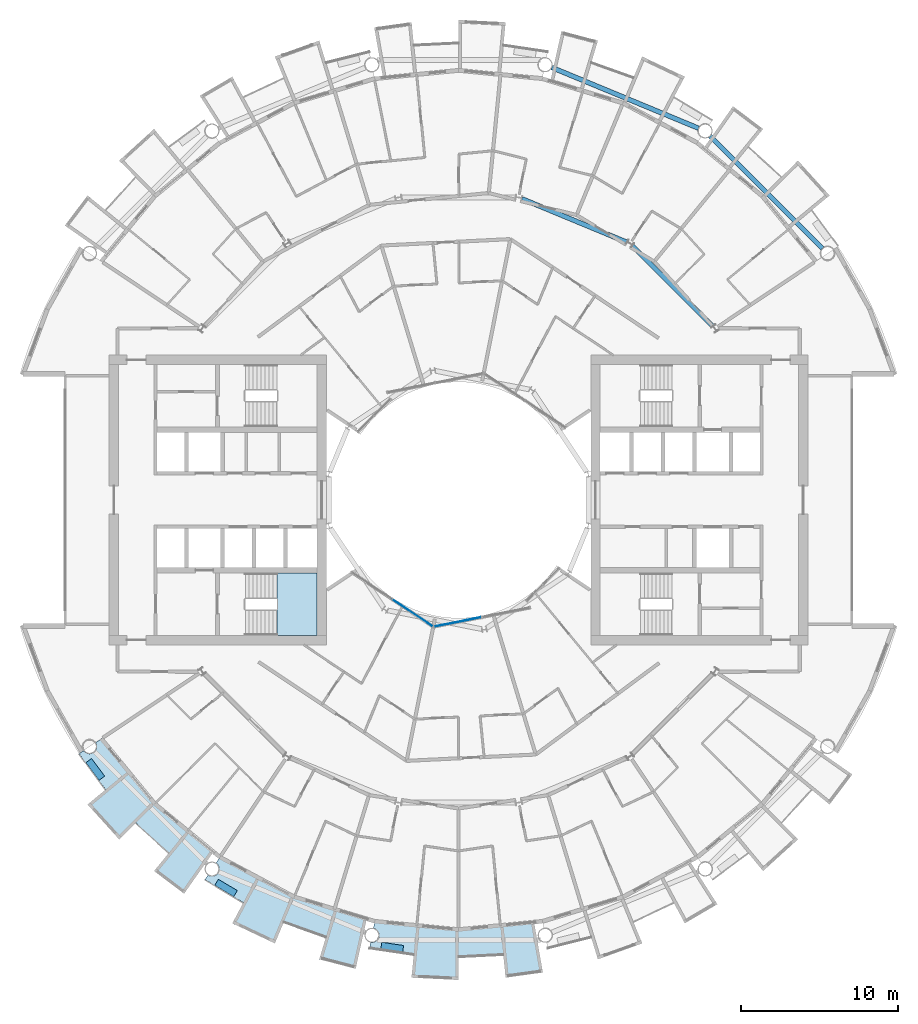
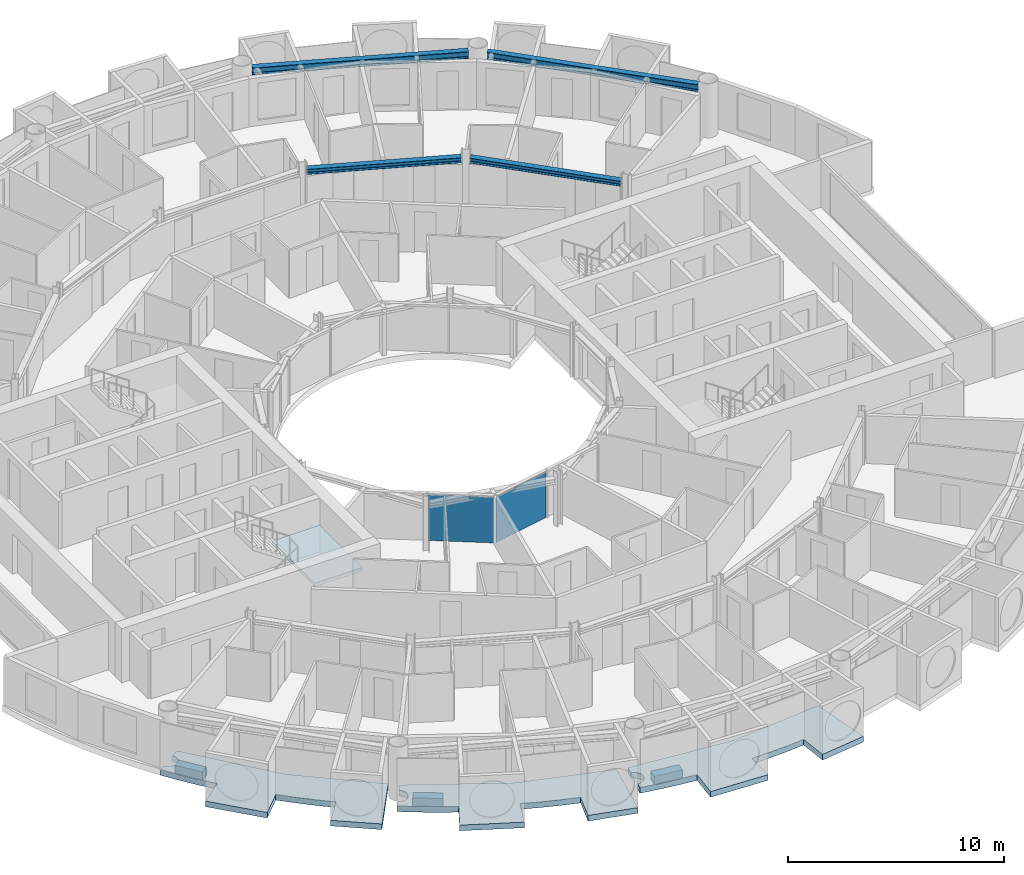
# One storey, part 10 of 27: 7 slabs, 4 beams, 2 plates, 3 elements without a shape of their own.
"""IFC4 building model written with IfcOpenShell, lengths in metres."""

from ifc_helpers import new_model, si_unit, direction, frame, origin, origin_2d, place, context, subcontext, project, spatial, polyline, rectangle, i_section, outline, extrude, material, layer, layer_set, material_profile, profile_set, type_object, element, aggregate, save


model = new_model("IFC4")

# Units and contexts
model_context = context("Model", 3, precision=1e-05, world=origin(), true_north=direction((0.0, 1.0)))
body_context = subcontext(model_context, "Body", "Model", "MODEL_VIEW")
ifc_project = project(units=[si_unit("LENGTHUNIT", "METRE"), si_unit("AREAUNIT", "SQUARE_METRE"), si_unit("VOLUMEUNIT", "CUBIC_METRE"), si_unit("PLANEANGLEUNIT", "RADIAN"), si_unit("MASSUNIT", "GRAM", prefix="KILO")], contexts=[model_context])

# Site, building, storey
site_placement = place(None, origin())
site = spatial("IfcSite", under=ifc_project, at=site_placement, CompositionType="ELEMENT")
building_placement = place(site_placement, origin())
building = spatial("IfcBuilding", under=site, at=building_placement, Name="Maasbend Ring Residences", CompositionType="ELEMENT")
storey_placement = place(building_placement, frame((0.0, 0.0, 126.89990234375)))
storey = spatial("IfcBuildingStorey", under=building, at=storey_placement, Name="L36", CompositionType="ELEMENT", Elevation=126.89990234375)

# Beams
ifc_material_1 = material(Name="Steel S355J2", Category="steel")
ifc_material_profile_1 = material_profile(ifc_material_1, i_section(OverallWidth=0.300048828125, OverallDepth=0.2900390625, WebThickness=0.008544921875, FlangeThickness=0.013916015625, FilletRadius=0.027099609375, at=origin_2d()), Name="HEA 300")
ifc_profile_set_1 = profile_set([ifc_material_profile_1], Name="Steel S355J2")
beam_type_1 = type_object("IfcBeamType", Name="Corridor ring beam HEA 300", PredefinedType="BEAM", material=ifc_profile_set_1)
for number, where, z_axis, x_axis, name in (
    (1, (16.14111328125, 11.044921875, 2.55517578125), (-0.707106781187, 0.707106781187, 0.0), (-0.707106781187, -0.707106781187, 0.0), "Corridor ring beam"),
    (2, (10.685791015625, 16.381103515625, 2.55517578125), (-0.923877693919, 0.382687871089, 0.0), (-0.382687871089, -0.923877693919, 0.0), "Corridor ring beam"),
):
    element("IfcBeam", number, at=place(storey_placement, frame(where, z_axis=z_axis, x_axis=x_axis)), inside=storey, type_object=beam_type_1, Name=name, PredefinedType="BEAM", context=body_context, shape_type="SweptSolid", body=[
        extrude(i_section(OverallWidth=0.300048828125, OverallDepth=0.2900390625, WebThickness=0.008544921875, FlangeThickness=0.013916015625, FilletRadius=0.027099609375, at=origin_2d()), origin(), (0.0, 0.0, 1.0), 7.20703125),
    ])
ifc_material_2 = material(Name="Steel S355J2", Category="steel")
ifc_material_profile_2 = material_profile(ifc_material_2, i_section(OverallWidth=0.300048828125, OverallDepth=0.39990234375, WebThickness=0.013427734375, FlangeThickness=0.02392578125, FilletRadius=0.027099609375, at=origin_2d()), Name="HEB 400")
ifc_profile_set_2 = profile_set([ifc_material_profile_2], Name="Steel S355J2")
beam_type_2 = type_object("IfcBeamType", Name="Spandrel ring beam HEB 400", PredefinedType="SPANDREL", material=ifc_profile_set_2)
for number, where, z_axis, x_axis, name in (
    (3, (23.124267578125, 15.990234375, 2.5), (-0.707106781187, 0.707106781187, 0.0), (-0.707106781187, -0.707106781187, 0.0), "Spandrel ring beam"),
    (4, (15.244873046875, 23.622314453125, 2.5), (-0.92388529709, 0.382669515144, 0.0), (-0.382669515144, -0.92388529709, 0.0), "Spandrel ring beam"),
):
    element("IfcBeam", number, at=place(storey_placement, frame(where, z_axis=z_axis, x_axis=x_axis)), inside=storey, type_object=beam_type_2, Name=name, PredefinedType="SPANDREL", context=body_context, shape_type="SweptSolid", body=[
        extrude(i_section(OverallWidth=0.300048828125, OverallDepth=0.39990234375, WebThickness=0.013427734375, FlangeThickness=0.02392578125, FilletRadius=0.027099609375, at=origin_2d()), origin(), (0.0, 0.0, 1.0), 10.089111328125),
    ])

# Stair, slab
ifc_material_3 = material(Name="Concrete C40/50", Category="concrete")
stair_type = type_object("IfcStairType", Name="CORE STAIR 18 RISERS", PredefinedType="HALF_TURN_STAIR", material=ifc_material_3)
stair_placement = place(storey_placement, origin())
stair = element("IfcStair", 5, at=stair_placement, inside=storey, type_object=stair_type, Name="L36 Exit stair ST-W1", PredefinedType="HALF_TURN_STAIR")
ifc_material_4 = material(Name="Concrete C40/50", Category="concrete")
ifc_layer_1 = layer(ifc_material_4, 0.199951171875)
ifc_layer_set_1 = layer_set([ifc_layer_1], Name="Concrete C40/50")
slab_type_1 = type_object("IfcSlabType", Name="CORE STAIR LANDING 200", PredefinedType="LANDING", material=ifc_layer_set_1)
slab_1_placement = place(storey_placement, frame((0.0, 0.0, 1.3251953125)))
slab_1 = element("IfcSlab", 6, at=slab_1_placement, type_object=slab_type_1, Name="ST-W1 landing 1", PredefinedType="LANDING", context=body_context, shape_type="SweptSolid", body=[
    extrude(outline(polyline([(-11.550048828125, -8.60009765625), (-9.0, -8.60009765625), (-9.0, -4.64990234375), (-11.550048828125, -4.64990234375), (-11.550048828125, -8.60009765625)])), origin(), (0.0, 0.0, 1.0), 0.199951171875),
])
aggregate(stair, [slab_1])

# Curtain wall, plate
ifc_material_5 = material(Name="Aluminium and clear glass", Category="aluminium")
ifc_layer_2 = layer(ifc_material_5, 0.179931640625)
ifc_layer_set_2 = layer_set([ifc_layer_2], Name="CW-W")
curtain_wall_type = type_object("IfcCurtainWallType", Name="CW-W", PredefinedType="NOTDEFINED", material=ifc_layer_set_2)
curtain_wall_1_placement = place(storey_placement, origin())
curtain_wall_1 = element("IfcCurtainWall", 7, at=curtain_wall_1_placement, inside=storey, type_object=curtain_wall_type, Name="Well curtain wall S1", PredefinedType="NOTDEFINED")
ifc_material_6 = material(Name="Glass clear laminated", Category="glass")
ifc_layer_3 = layer(ifc_material_6, 0.031982421875)
ifc_layer_set_3 = layer_set([ifc_layer_3], Name="CWP-W")
plate_type = type_object("IfcPlateType", Name="CWP-W", PredefinedType="CURTAIN_PANEL", material=ifc_layer_set_3)
plate_1_placement = place(storey_placement, frame((-2.922119140625, -7.17578125, 0.0), z_axis=(0.0, 0.0, 1.0), x_axis=(0.831469612303, -0.55557023302, 0.0)))
plate_1 = element("IfcPlate", 8, at=plate_1_placement, type_object=plate_type, Name="Glass panel well face", PredefinedType="CURTAIN_PANEL", context=body_context, shape_type="SweptSolid", body=[
    extrude(rectangle(XDim=3.053955078125, YDim=0.031982421875, at=origin_2d()), origin(), (0.0, 0.0, 1.0), 2.580078125),
])
aggregate(curtain_wall_1, [plate_1])

curtain_wall_2_placement = place(storey_placement, origin())
curtain_wall_2 = element("IfcCurtainWall", 9, at=curtain_wall_2_placement, inside=storey, type_object=curtain_wall_type, Name="Well curtain wall S2", PredefinedType="NOTDEFINED")
plate_2_placement = place(storey_placement, frame((-0.04638671875, -7.747802734375, 0.0), z_axis=(0.0, 0.0, 1.0), x_axis=(0.980785280403, 0.195090322016, 0.0)))
plate_2 = element("IfcPlate", 10, at=plate_2_placement, type_object=plate_type, Name="Glass panel well face", PredefinedType="CURTAIN_PANEL", context=body_context, shape_type="SweptSolid", body=[
    extrude(rectangle(XDim=3.053955078125, YDim=0.031982421875, at=origin_2d()), origin(), (0.0, 0.0, 1.0), 2.580078125),
])
aggregate(curtain_wall_2, [plate_2])

# Slabs
ifc_material_7 = material(Name="Planting with climbing greenery")
ifc_layer_4 = layer(ifc_material_7, 0.449951171875)
ifc_layer_set_4 = layer_set([ifc_layer_4], Name="PLANTER-LG")
slab_type_2 = type_object("IfcSlabType", Name="PLANTER-LG", PredefinedType="USERDEFINED", material=ifc_layer_set_4)
slab_2_placement = place(storey_placement, frame((0.0, 0.0, -0.02978515625)))
element("IfcSlab", 11, at=slab_2_placement, inside=storey, type_object=slab_type_2, Name="Planter with climbing greenery 1", ObjectType="PLANTER", PredefinedType="USERDEFINED", context=body_context, shape_type="SweptSolid", body=[
    extrude(outline(polyline([(-23.681884765625, -16.69189453125), (-22.847900390625, -17.81689453125), (-22.487060546875, -17.549072265625), (-23.321044921875, -16.424072265625), (-23.681884765625, -16.69189453125)])), origin(), (0.0, 0.0, 1.0), 0.449951171875),
])
slab_3_placement = place(storey_placement, frame((0.0, 0.0, -0.02978515625)))
element("IfcSlab", 12, at=slab_3_placement, inside=storey, type_object=slab_type_2, Name="Planter with climbing greenery 2", ObjectType="PLANTER", PredefinedType="USERDEFINED", context=body_context, shape_type="SweptSolid", body=[
    extrude(outline(polyline([(-15.490966796875, -24.48388671875), (-14.291015625, -25.2041015625), (-14.05908203125, -24.818115234375), (-15.260009765625, -24.097900390625), (-15.490966796875, -24.48388671875)])), origin(), (0.0, 0.0, 1.0), 0.449951171875),
])
slab_4_placement = place(storey_placement, frame((0.0, 0.0, -0.02978515625)))
element("IfcSlab", 13, at=slab_4_placement, inside=storey, type_object=slab_type_2, Name="Planter with climbing greenery 3", ObjectType="PLANTER", PredefinedType="USERDEFINED", context=body_context, shape_type="SweptSolid", body=[
    extrude(outline(polyline([(-4.94189453125, -28.549072265625), (-3.55810546875, -28.75390625), (-3.491943359375, -28.30908203125), (-4.8759765625, -28.10400390625), (-4.94189453125, -28.549072265625)])), origin(), (0.0, 0.0, 1.0), 0.449951171875),
])
ifc_material_8 = material(Name="Concrete C40/50", Category="concrete")
ifc_layer_5 = layer(ifc_material_8, 0.199951171875)
ifc_layer_set_5 = layer_set([ifc_layer_5], Name="Concrete C40/50")
slab_type_3 = type_object("IfcSlabType", Name="SL-LOGGIA", PredefinedType="FLOOR", material=ifc_layer_set_5)
slab_5_placement = place(storey_placement, frame((0.0, 0.0, -0.349853515625)))
element("IfcSlab", 14, at=slab_5_placement, inside=storey, type_object=slab_type_3, Name="Loggia floor 1", PredefinedType="FLOOR", context=body_context, shape_type="SweptSolid", body=[
    extrude(outline(polyline([(-15.89208984375, -23.844970703125), (-15.883056640625, -23.85009765625), (-15.873046875, -23.85595703125), (-15.862060546875, -23.861083984375), (-15.85205078125, -23.864990234375), (-15.842041015625, -23.8701171875), (-15.83203125, -23.8740234375), (-15.821044921875, -23.8779296875), (-15.81005859375, -23.881103515625), (-15.800048828125, -23.885009765625), (-15.7890625, -23.887939453125), (-15.778076171875, -23.89111328125), (-15.76708984375, -23.89306640625), (-15.756103515625, -23.89599609375), (-15.7451171875, -23.89794921875), (-15.73388671875, -23.89892578125), (-15.722900390625, -23.90087890625), (-15.7119140625, -23.902099609375), (-15.700927734375, -23.903076171875), (-15.68994140625, -23.904052734375), (-15.677978515625, -23.904052734375), (-15.6669921875, -23.904052734375), (-15.656005859375, -23.904052734375), (-15.64501953125, -23.904052734375), (-15.633056640625, -23.903076171875), (-15.6220703125, -23.902099609375), (-15.611083984375, -23.90087890625), (-15.60009765625, -23.89892578125), (-15.589111328125, -23.89794921875), (-15.577880859375, -23.89599609375), (-15.56689453125, -23.89306640625), (-15.555908203125, -23.89111328125), (-15.544921875, -23.887939453125), (-15.533935546875, -23.885009765625), (-15.52392578125, -23.881103515625), (-15.512939453125, -23.8779296875), (-15.5029296875, -23.8740234375), (-15.491943359375, -23.8701171875), (-15.48193359375, -23.864990234375), (-15.471923828125, -23.861083984375), (-15.4619140625, -23.85595703125), (-15.451904296875, -23.85009765625), (-15.44189453125, -23.844970703125), (-15.431884765625, -23.839111328125), (-15.423095703125, -23.8330078125), (-15.4130859375, -23.826904296875), (-15.404052734375, -23.821044921875), (-15.39501953125, -23.81396484375), (-15.385986328125, -23.80810546875), (-15.376953125, -23.801025390625), (-15.368896484375, -23.79296875), (-15.360107421875, -23.785888671875), (-15.35205078125, -23.778076171875), (-15.343994140625, -23.77099609375), (-15.3359375, -23.762939453125), (-15.327880859375, -23.75390625), (-15.321044921875, -23.74609375), (-15.31396484375, -23.737060546875), (-15.306884765625, -23.72900390625), (-15.300048828125, -23.719970703125), (-15.29296875, -23.7109375), (-15.287109375, -23.700927734375), (-15.281005859375, -23.69189453125), (-15.27490234375, -23.681884765625), (-15.26904296875, -23.673095703125), (-15.263916015625, -23.6630859375), (-15.259033203125, -23.653076171875), (-15.25390625, -23.64306640625), (-15.2490234375, -23.633056640625), (-15.2451171875, -23.6220703125), (-15.240966796875, -23.612060546875), (-15.237060546875, -23.60107421875), (-15.23291015625, -23.591064453125), (-15.22998046875, -23.580078125), (-15.22705078125, -23.569091796875), (-15.22412109375, -23.55810546875), (-15.220947265625, -23.548095703125), (-15.218994140625, -23.537109375), (-15.217041015625, -23.52587890625), (-15.215087890625, -23.513916015625), (-15.214111328125, -23.5029296875), (-15.2119140625, -23.491943359375), (-15.2109375, -23.48095703125), (-15.2109375, -23.469970703125), (-15.2099609375, -23.458984375), (-15.2099609375, -23.447021484375), (-15.2099609375, -23.43603515625), (-15.2109375, -23.425048828125), (-15.2109375, -23.4140625), (-15.2119140625, -23.403076171875), (-15.214111328125, -23.39111328125), (-15.215087890625, -23.3798828125), (-15.217041015625, -23.368896484375), (-15.218994140625, -23.35791015625), (-15.220947265625, -23.346923828125), (-15.22412109375, -23.3359375), (-15.22705078125, -23.325927734375), (-15.22998046875, -23.31494140625), (-15.23291015625, -23.303955078125), (-15.237060546875, -23.29296875), (-15.240966796875, -23.282958984375), (-15.2451171875, -23.27294921875), (-15.2490234375, -23.261962890625), (-15.25390625, -23.251953125), (-15.259033203125, -23.241943359375), (-15.263916015625, -23.23193359375), (-15.26904296875, -23.221923828125), (-15.27490234375, -23.2119140625), (-15.281005859375, -23.202880859375), (-15.287109375, -23.194091796875), (-15.29296875, -23.18408203125), (-15.300048828125, -23.175048828125), (-15.306884765625, -23.166015625), (-15.31396484375, -23.156982421875), (-15.321044921875, -23.14892578125), (-15.327880859375, -23.139892578125), (-15.3359375, -23.132080078125), (-15.343994140625, -23.1240234375), (-15.35205078125, -23.115966796875), (-15.360107421875, -23.10888671875), (-15.368896484375, -23.10107421875), (-15.376953125, -23.093994140625), (-15.385986328125, -23.0869140625), (-15.39501953125, -23.080078125), (-15.404052734375, -23.073974609375), (-15.4130859375, -23.06689453125), (-15.1669921875, -22.698974609375), (-15.1669921875, -22.698974609375), (-15.1669921875, -22.698974609375), (-12.806884765625, -23.9609375), (-10.447021484375, -25.221923828125), (-10.447021484375, -25.221923828125), (-10.447021484375, -25.221923828125), (-7.886962890625, -25.9990234375), (-5.843994140625, -26.617919921875), (-5.843994140625, -26.617919921875), (-5.843994140625, -26.617919921875), (-6.5400390625, -29.791015625), (-6.5400390625, -29.791015625), (-6.5400390625, -29.791015625), (-8.85400390625, -29.18701171875), (-8.85400390625, -29.18701171875), (-8.85400390625, -29.18701171875), (-8.41796875, -27.751953125), (-8.41796875, -27.751953125), (-8.41796875, -27.751953125), (-8.41796875, -27.751953125), (-8.41796875, -27.751953125), (-8.41796875, -27.751953125), (-8.41796875, -27.7509765625), (-8.41796875, -27.7509765625), (-8.41796875, -27.7509765625), (-8.41796875, -27.7509765625), (-8.41796875, -27.7509765625), (-8.4189453125, -27.7509765625), (-8.4189453125, -27.7509765625), (-8.4189453125, -27.7509765625), (-8.4189453125, -27.7509765625), (-8.4189453125, -27.7509765625), (-8.4189453125, -27.7509765625), (-9.322021484375, -27.4609375), (-9.322021484375, -27.4609375), (-10.215087890625, -27.14111328125), (-10.215087890625, -27.14111328125), (-11.096923828125, -26.79296875), (-11.096923828125, -26.79296875), (-11.096923828125, -26.79296875), (-11.097900390625, -26.79296875), (-11.097900390625, -26.79296875), (-11.097900390625, -26.79296875), (-11.097900390625, -26.79296875), (-11.097900390625, -26.79296875), (-11.097900390625, -26.79296875), (-11.097900390625, -26.79296875), (-11.097900390625, -26.79296875), (-11.097900390625, -26.79296875), (-11.097900390625, -26.79296875), (-11.097900390625, -26.79296875), (-11.097900390625, -26.79296875), (-11.097900390625, -26.79296875), (-11.097900390625, -26.79296875), (-11.672119140625, -28.177978515625), (-11.672119140625, -28.177978515625), (-11.672119140625, -28.177978515625), (-14.3779296875, -26.89892578125), (-14.3779296875, -26.89892578125), (-14.3779296875, -26.89892578125), (-13.6708984375, -25.575927734375), (-13.6708984375, -25.575927734375), (-13.6708984375, -25.575927734375), (-13.6708984375, -25.575927734375), (-13.6708984375, -25.575927734375), (-13.6708984375, -25.575927734375), (-13.6708984375, -25.575927734375), (-13.6708984375, -25.575927734375), (-13.6708984375, -25.575927734375), (-13.6708984375, -25.575927734375), (-13.6708984375, -25.575927734375), (-13.6708984375, -25.575927734375), (-13.6708984375, -25.575927734375), (-13.6708984375, -25.575927734375), (-13.6708984375, -25.575927734375), (-13.6708984375, -25.575927734375), (-13.6708984375, -25.574951171875), (-14.5, -25.114990234375), (-14.5, -25.114990234375), (-15.31396484375, -24.626953125), (-15.31396484375, -24.626953125), (-16.112060546875, -24.113037109375), (-16.112060546875, -24.113037109375), (-16.112060546875, -24.113037109375), (-15.9208984375, -23.826904296875), (-15.912109375, -23.8330078125), (-15.902099609375, -23.839111328125), (-15.89208984375, -23.844970703125)])), origin(), (0.0, 0.0, 1.0), 0.320068359375),
])
slab_6_placement = place(storey_placement, frame((0.0, 0.0, -0.349853515625)))
element("IfcSlab", 15, at=slab_6_placement, inside=storey, type_object=slab_type_3, Name="Loggia floor 3", PredefinedType="FLOOR", context=body_context, shape_type="SweptSolid", body=[
    extrude(outline(polyline([(-2.6630859375, -27.0380859375), (0.0, -27.300048828125), (0.0, -27.300048828125), (0.0, -27.300048828125), (2.6630859375, -27.0380859375), (4.7880859375, -26.827880859375), (4.7880859375, -26.827880859375), (4.7880859375, -26.827880859375), (5.35791015625, -30.02587890625), (5.35791015625, -30.02587890625), (5.35791015625, -30.02587890625), (2.989990234375, -30.35302734375), (2.989990234375, -30.35302734375), (2.989990234375, -30.35302734375), (2.843017578125, -28.861083984375), (2.843017578125, -28.861083984375), (2.843017578125, -28.861083984375), (2.843017578125, -28.861083984375), (2.842041015625, -28.861083984375), (2.842041015625, -28.861083984375), (2.842041015625, -28.861083984375), (2.842041015625, -28.861083984375), (2.842041015625, -28.861083984375), (2.842041015625, -28.860107421875), (2.842041015625, -28.860107421875), (2.842041015625, -28.860107421875), (2.842041015625, -28.860107421875), (2.842041015625, -28.860107421875), (2.842041015625, -28.860107421875), (2.842041015625, -28.860107421875), (2.842041015625, -28.860107421875), (1.89697265625, -28.93798828125), (1.89697265625, -28.93798828125), (0.948974609375, -28.98388671875), (0.948974609375, -28.98388671875), (0.0, -29.0), (0.0, -29.0), (0.0, -29.0), (0.0, -29.0), (0.0, -29.0), (0.0, -29.0), (0.0, -29.0), (0.0, -29.0), (0.0, -29.0), (0.0, -29.0), (0.0, -29.0), (0.0, -29.0), (0.0, -29.0), (0.0, -29.0), (0.0, -29.0), (0.0, -29.0), (0.0, -29.0), (0.0, -30.5), (0.0, -30.5), (0.0, -30.5), (-2.989990234375, -30.35302734375), (-2.989990234375, -30.35302734375), (-2.989990234375, -30.35302734375), (-2.843017578125, -28.861083984375), (-2.843017578125, -28.861083984375), (-2.843017578125, -28.861083984375), (-2.843017578125, -28.861083984375), (-2.843017578125, -28.861083984375), (-2.843017578125, -28.861083984375), (-2.843017578125, -28.861083984375), (-2.843017578125, -28.861083984375), (-2.843017578125, -28.860107421875), (-2.843017578125, -28.860107421875), (-2.843017578125, -28.860107421875), (-2.843017578125, -28.860107421875), (-2.843017578125, -28.860107421875), (-2.843017578125, -28.860107421875), (-2.843017578125, -28.860107421875), (-2.843017578125, -28.860107421875), (-2.843017578125, -28.860107421875), (-3.784912109375, -28.751953125), (-3.784912109375, -28.751953125), (-4.72412109375, -28.613037109375), (-4.72412109375, -28.613037109375), (-5.657958984375, -28.443115234375), (-5.657958984375, -28.443115234375), (-5.657958984375, -28.443115234375), (-5.591064453125, -28.10595703125), (-5.591064453125, -28.10595703125), (-5.580078125, -28.10791015625), (-5.569091796875, -28.110107421875), (-5.556884765625, -28.112060546875), (-5.5458984375, -28.113037109375), (-5.534912109375, -28.114013671875), (-5.52392578125, -28.114990234375), (-5.512939453125, -28.114990234375), (-5.501953125, -28.114990234375), (-5.489990234375, -28.114990234375), (-5.47900390625, -28.114990234375), (-5.468017578125, -28.114013671875), (-5.45703125, -28.113037109375), (-5.446044921875, -28.112060546875), (-5.43408203125, -28.110107421875), (-5.423095703125, -28.10791015625), (-5.412109375, -28.10595703125), (-5.40087890625, -28.10400390625), (-5.389892578125, -28.10107421875), (-5.3798828125, -28.09912109375), (-5.368896484375, -28.094970703125), (-5.35791015625, -28.092041015625), (-5.347900390625, -28.087890625), (-5.3369140625, -28.083984375), (-5.326904296875, -28.080078125), (-5.31591796875, -28.075927734375), (-5.305908203125, -28.071044921875), (-5.2958984375, -28.06591796875), (-5.285888671875, -28.06103515625), (-5.27587890625, -28.055908203125), (-5.26708984375, -28.050048828125), (-5.257080078125, -28.0439453125), (-5.248046875, -28.0380859375), (-5.238037109375, -28.031982421875), (-5.22900390625, -28.02490234375), (-5.219970703125, -28.01806640625), (-5.2119140625, -28.010986328125), (-5.202880859375, -28.00390625), (-5.195068359375, -27.9970703125), (-5.18603515625, -27.989013671875), (-5.177978515625, -27.98095703125), (-5.1708984375, -27.972900390625), (-5.1630859375, -27.965087890625), (-5.155029296875, -27.95703125), (-5.14794921875, -27.947998046875), (-5.14111328125, -27.93896484375), (-5.134033203125, -27.929931640625), (-5.1279296875, -27.9208984375), (-5.1220703125, -27.912109375), (-5.114990234375, -27.903076171875), (-5.110107421875, -27.89306640625), (-5.10400390625, -27.883056640625), (-5.097900390625, -27.8740234375), (-5.093017578125, -27.864013671875), (-5.087890625, -27.85302734375), (-5.083984375, -27.843017578125), (-5.0791015625, -27.8330078125), (-5.074951171875, -27.822998046875), (-5.071044921875, -27.81201171875), (-5.068115234375, -27.801025390625), (-5.06396484375, -27.791015625), (-5.06103515625, -27.780029296875), (-5.05810546875, -27.76904296875), (-5.055908203125, -27.758056640625), (-5.052978515625, -27.7470703125), (-5.051025390625, -27.736083984375), (-5.049072265625, -27.72509765625), (-5.048095703125, -27.714111328125), (-5.047119140625, -27.702880859375), (-5.0458984375, -27.69189453125), (-5.044921875, -27.680908203125), (-5.044921875, -27.6689453125), (-5.044921875, -27.657958984375), (-5.044921875, -27.64697265625), (-5.044921875, -27.635986328125), (-5.0458984375, -27.6240234375), (-5.047119140625, -27.613037109375), (-5.048095703125, -27.60205078125), (-5.049072265625, -27.591064453125), (-5.051025390625, -27.580078125), (-5.052978515625, -27.569091796875), (-5.055908203125, -27.55810546875), (-5.05810546875, -27.547119140625), (-5.06103515625, -27.535888671875), (-5.06396484375, -27.52490234375), (-5.068115234375, -27.514892578125), (-5.071044921875, -27.50390625), (-5.074951171875, -27.493896484375), (-5.0791015625, -27.48291015625), (-5.083984375, -27.472900390625), (-5.087890625, -27.462890625), (-5.093017578125, -27.452880859375), (-5.097900390625, -27.443115234375), (-5.10400390625, -27.43310546875), (-5.110107421875, -27.423095703125), (-5.114990234375, -27.4140625), (-5.1220703125, -27.404052734375), (-5.1279296875, -27.39501953125), (-5.134033203125, -27.385986328125), (-5.14111328125, -27.376953125), (-5.14794921875, -27.367919921875), (-5.155029296875, -27.360107421875), (-5.1630859375, -27.35107421875), (-5.1708984375, -27.343017578125), (-5.177978515625, -27.3349609375), (-5.18603515625, -27.326904296875), (-5.195068359375, -27.319091796875), (-5.202880859375, -27.31201171875), (-5.2119140625, -27.304931640625), (-5.219970703125, -27.298095703125), (-5.22900390625, -27.291015625), (-5.238037109375, -27.283935546875), (-5.248046875, -27.278076171875), (-5.257080078125, -27.27197265625), (-5.26708984375, -27.26611328125), (-5.27587890625, -27.260009765625), (-5.285888671875, -27.2548828125), (-5.2958984375, -27.25), (-5.305908203125, -27.2451171875), (-5.31591796875, -27.239990234375), (-5.326904296875, -27.236083984375), (-5.3369140625, -27.23193359375), (-5.347900390625, -27.22802734375), (-5.35791015625, -27.22412109375), (-5.368896484375, -27.220947265625), (-5.3798828125, -27.218017578125), (-5.389892578125, -27.215087890625), (-5.40087890625, -27.2119140625), (-5.412109375, -27.2099609375), (-5.412109375, -27.2099609375), (-5.325927734375, -26.77490234375), (-5.325927734375, -26.77490234375), (-5.325927734375, -26.77490234375), (-2.6630859375, -27.0380859375)])), origin(), (0.0, 0.0, 1.0), 0.320068359375),
])
slab_7_placement = place(storey_placement, frame((0.0, 0.0, -0.349853515625)))
element("IfcSlab", 16, at=slab_7_placement, inside=storey, type_object=slab_type_3, Name="Loggia floor 4", PredefinedType="FLOOR", context=body_context, shape_type="SweptSolid", body=[
    extrude(outline(polyline([(-23.81396484375, -15.93896484375), (-23.80810546875, -15.947998046875), (-23.801025390625, -15.95703125), (-23.79296875, -15.966064453125), (-23.785888671875, -15.97412109375), (-23.778076171875, -15.98193359375), (-23.77099609375, -15.989990234375), (-23.762939453125, -15.998046875), (-23.75390625, -16.006103515625), (-23.74609375, -16.012939453125), (-23.737060546875, -16.02001953125), (-23.72900390625, -16.027099609375), (-23.719970703125, -16.033935546875), (-23.7109375, -16.041015625), (-23.700927734375, -16.047119140625), (-23.69189453125, -16.052978515625), (-23.681884765625, -16.05908203125), (-23.673095703125, -16.06494140625), (-23.6630859375, -16.070068359375), (-23.653076171875, -16.074951171875), (-23.64306640625, -16.080078125), (-23.633056640625, -16.0849609375), (-23.6220703125, -16.089111328125), (-23.612060546875, -16.093017578125), (-23.60107421875, -16.096923828125), (-23.591064453125, -16.10107421875), (-23.580078125, -16.10400390625), (-23.569091796875, -16.10791015625), (-23.55810546875, -16.110107421875), (-23.548095703125, -16.113037109375), (-23.537109375, -16.114990234375), (-23.52587890625, -16.116943359375), (-23.513916015625, -16.118896484375), (-23.5029296875, -16.12109375), (-23.491943359375, -16.1220703125), (-23.48095703125, -16.123046875), (-23.469970703125, -16.1240234375), (-23.458984375, -16.1240234375), (-23.447021484375, -16.1240234375), (-23.43603515625, -16.1240234375), (-23.425048828125, -16.1240234375), (-23.4140625, -16.123046875), (-23.403076171875, -16.1220703125), (-23.39111328125, -16.12109375), (-23.3798828125, -16.118896484375), (-23.368896484375, -16.116943359375), (-23.35791015625, -16.114990234375), (-23.346923828125, -16.113037109375), (-23.3359375, -16.110107421875), (-23.325927734375, -16.10791015625), (-23.31494140625, -16.10400390625), (-23.303955078125, -16.10107421875), (-23.29296875, -16.096923828125), (-23.282958984375, -16.093017578125), (-23.27294921875, -16.089111328125), (-23.261962890625, -16.0849609375), (-23.251953125, -16.080078125), (-23.241943359375, -16.074951171875), (-23.23193359375, -16.070068359375), (-23.221923828125, -16.06494140625), (-23.2119140625, -16.05908203125), (-23.202880859375, -16.052978515625), (-23.194091796875, -16.047119140625), (-23.18408203125, -16.041015625), (-23.175048828125, -16.033935546875), (-23.166015625, -16.027099609375), (-23.156982421875, -16.02001953125), (-23.14892578125, -16.012939453125), (-23.139892578125, -16.006103515625), (-23.132080078125, -15.998046875), (-23.1240234375, -15.989990234375), (-23.115966796875, -15.98193359375), (-23.10888671875, -15.97412109375), (-23.10107421875, -15.966064453125), (-23.093994140625, -15.95703125), (-23.0869140625, -15.947998046875), (-23.080078125, -15.93896484375), (-23.073974609375, -15.929931640625), (-23.06689453125, -15.9208984375), (-23.06103515625, -15.912109375), (-23.054931640625, -15.902099609375), (-23.050048828125, -15.89208984375), (-23.0439453125, -15.883056640625), (-23.0390625, -15.873046875), (-23.033935546875, -15.862060546875), (-23.030029296875, -15.85205078125), (-23.02490234375, -15.842041015625), (-23.02099609375, -15.83203125), (-23.01708984375, -15.821044921875), (-23.012939453125, -15.81005859375), (-23.010009765625, -15.800048828125), (-23.007080078125, -15.7890625), (-23.00390625, -15.778076171875), (-23.001953125, -15.76708984375), (-22.9990234375, -15.756103515625), (-22.9970703125, -15.7451171875), (-22.9951171875, -15.73388671875), (-22.993896484375, -15.722900390625), (-22.992919921875, -15.7119140625), (-22.991943359375, -15.700927734375), (-22.990966796875, -15.68994140625), (-22.990966796875, -15.677978515625), (-22.989990234375, -15.6669921875), (-22.990966796875, -15.656005859375), (-22.990966796875, -15.64501953125), (-22.991943359375, -15.633056640625), (-22.992919921875, -15.6220703125), (-22.993896484375, -15.611083984375), (-22.9951171875, -15.60009765625), (-22.9970703125, -15.589111328125), (-22.9990234375, -15.577880859375), (-23.001953125, -15.56689453125), (-23.00390625, -15.555908203125), (-23.007080078125, -15.544921875), (-23.010009765625, -15.533935546875), (-23.012939453125, -15.52392578125), (-23.01708984375, -15.512939453125), (-23.02099609375, -15.5029296875), (-23.02490234375, -15.491943359375), (-23.030029296875, -15.48193359375), (-23.033935546875, -15.471923828125), (-23.0390625, -15.4619140625), (-23.0439453125, -15.451904296875), (-23.050048828125, -15.44189453125), (-23.054931640625, -15.431884765625), (-23.06103515625, -15.423095703125), (-23.06689453125, -15.4130859375), (-23.06689453125, -15.4130859375), (-22.698974609375, -15.1669921875), (-22.698974609375, -15.1669921875), (-22.698974609375, -15.1669921875), (-21.001953125, -17.236083984375), (-19.303955078125, -19.303955078125), (-19.303955078125, -19.303955078125), (-19.303955078125, -19.303955078125), (-17.236083984375, -21.001953125), (-15.5849609375, -22.35595703125), (-15.5849609375, -22.35595703125), (-15.5849609375, -22.35595703125), (-17.44189453125, -25.02001953125), (-17.44189453125, -25.02001953125), (-17.44189453125, -25.02001953125), (-19.34912109375, -23.576904296875), (-19.34912109375, -23.576904296875), (-19.34912109375, -23.576904296875), (-18.39794921875, -22.41796875), (-18.39794921875, -22.41796875), (-18.39794921875, -22.41796875), (-18.39794921875, -22.41796875), (-18.39794921875, -22.41796875), (-18.39794921875, -22.4169921875), (-18.39794921875, -22.4169921875), (-18.39794921875, -22.4169921875), (-18.39794921875, -22.4169921875), (-18.39794921875, -22.4169921875), (-18.39794921875, -22.4169921875), (-18.39794921875, -22.4169921875), (-18.39794921875, -22.4169921875), (-18.39794921875, -22.4169921875), (-18.39794921875, -22.4169921875), (-18.39794921875, -22.4169921875), (-18.39794921875, -22.4169921875), (-19.12109375, -21.802978515625), (-19.12109375, -21.802978515625), (-19.823974609375, -21.166015625), (-19.823974609375, -21.166015625), (-20.506103515625, -20.506103515625), (-20.506103515625, -20.506103515625), (-20.506103515625, -20.506103515625), (-20.506103515625, -20.506103515625), (-20.506103515625, -20.506103515625), (-20.506103515625, -20.506103515625), (-20.506103515625, -20.506103515625), (-20.506103515625, -20.506103515625), (-20.506103515625, -20.506103515625), (-20.506103515625, -20.506103515625), (-20.506103515625, -20.506103515625), (-20.506103515625, -20.506103515625), (-20.506103515625, -20.506103515625), (-20.506103515625, -20.506103515625), (-20.506103515625, -20.506103515625), (-20.506103515625, -20.506103515625), (-20.506103515625, -20.506103515625), (-21.56689453125, -21.56689453125), (-21.56689453125, -21.56689453125), (-21.56689453125, -21.56689453125), (-23.576904296875, -19.34912109375), (-23.576904296875, -19.34912109375), (-23.576904296875, -19.34912109375), (-22.41796875, -18.39794921875), (-22.41796875, -18.39794921875), (-22.41796875, -18.39794921875), (-22.41796875, -18.39794921875), (-22.41796875, -18.39794921875), (-22.41796875, -18.39794921875), (-22.41796875, -18.39697265625), (-22.41796875, -18.39697265625), (-22.41796875, -18.39697265625), (-22.41796875, -18.39697265625), (-22.41796875, -18.39697265625), (-22.41796875, -18.39697265625), (-22.41796875, -18.39697265625), (-22.41796875, -18.39697265625), (-22.41796875, -18.39697265625), (-22.41796875, -18.39697265625), (-22.41796875, -18.39697265625), (-23.007080078125, -17.654052734375), (-23.007080078125, -17.654052734375), (-23.572998046875, -16.89208984375), (-23.572998046875, -16.89208984375), (-24.113037109375, -16.112060546875), (-24.113037109375, -16.112060546875), (-24.113037109375, -16.112060546875), (-23.826904296875, -15.9208984375), (-23.826904296875, -15.9208984375), (-23.821044921875, -15.929931640625), (-23.81396484375, -15.93896484375)])), origin(), (0.0, 0.0, 1.0), 0.320068359375),
])

save(model, "model.ifc")
